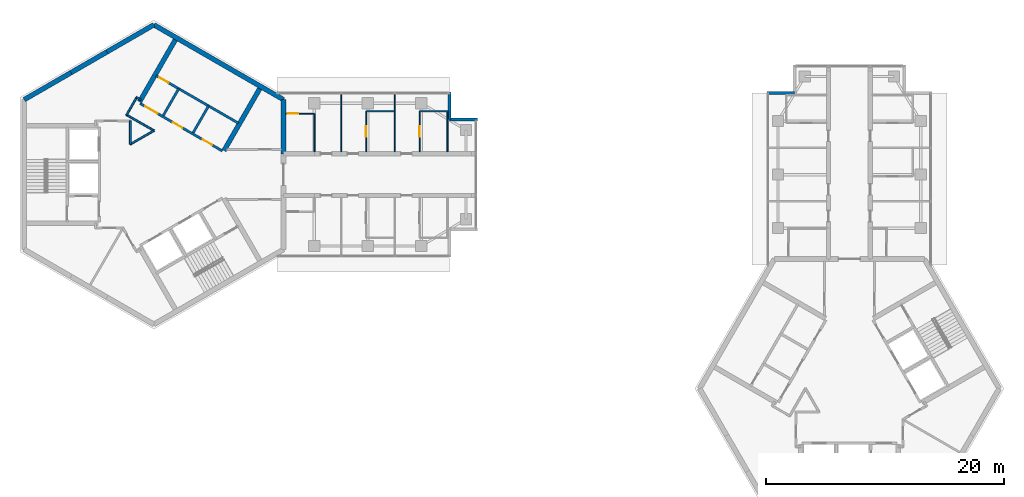
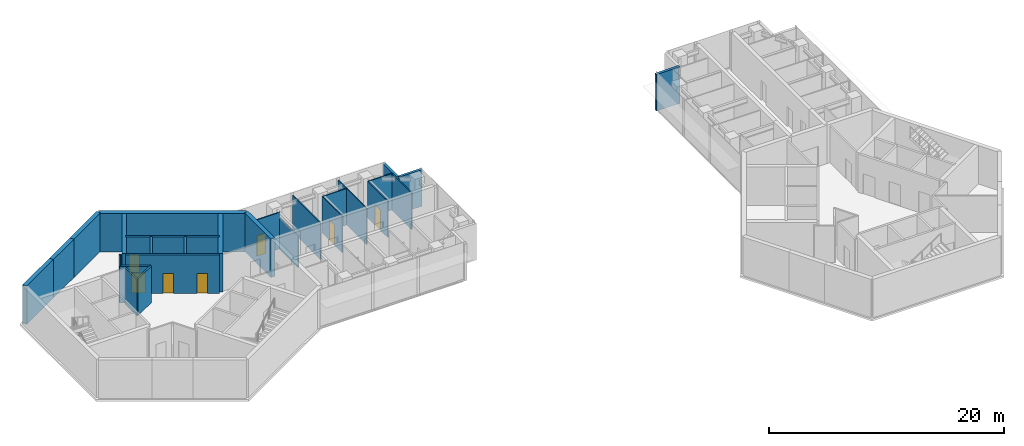
# One storey, part 7 of 11: 28 walls, 7 doors, 7 openings.
"""IFC4 building model written with IfcOpenShell, lengths in metres."""

from ifc_helpers import new_model, si_unit, direction, frame, frame_2d, origin, place, context, subcontext, project, spatial, rectangle, extrude, material, layer, layer_set, type_object, element, fill, save


model = new_model("IFC4")

# Units and contexts
model_context = context("Model", 3, precision=1e-05, world=origin(), true_north=direction((0.0, 1.0)))
body_context = subcontext(model_context, "Body", "Model", "MODEL_VIEW")
ifc_project = project(units=[si_unit("LENGTHUNIT", "METRE"), si_unit("AREAUNIT", "SQUARE_METRE"), si_unit("VOLUMEUNIT", "CUBIC_METRE"), si_unit("PLANEANGLEUNIT", "RADIAN"), si_unit("MASSUNIT", "GRAM", prefix="KILO")], contexts=[model_context])

# Site, building, storey
site_placement = place(None, origin())
site = spatial("IfcSite", under=ifc_project, at=site_placement, CompositionType="ELEMENT")
building_placement = place(site_placement, origin())
building = spatial("IfcBuilding", under=site, at=building_placement, Name="Upepo Twin Towers", CompositionType="ELEMENT")
storey_placement = place(building_placement, frame((0.0, 0.0, 283.5)))
storey = spatial("IfcBuildingStorey", under=building, at=storey_placement, Name="L69", CompositionType="ELEMENT", Elevation=283.5)

# Walls
ifc_material_1 = material(Name="Concrete C60/75", Category="concrete")
ifc_layer_1 = layer(ifc_material_1, 0.39990234375)
ifc_layer_set_1 = layer_set([ifc_layer_1], Name="Concrete C60/75")
wall_type_1 = type_object("IfcWallType", Name="Core wall 400 RC", PredefinedType="SHEAR", material=ifc_layer_set_1)
wall_1_placement = place(storey_placement, frame((10.908447265625, 1.75, 0.0), z_axis=(0.0, 0.0, 1.0), x_axis=(0.0, 1.0, 0.0)))
element("IfcWall", 1, at=wall_1_placement, inside=storey, type_object=wall_type_1, Name="T1 core wall 000 L", PredefinedType="SHEAR", context=body_context, shape_type="SweptSolid", body=[
    extrude(rectangle(XDim=4.5478515625, YDim=0.39990234375, at=frame_2d((2.27392578125, 0.0))), origin(), (0.0, 0.0, 1.0), 4.0),
])
wall_2_placement = place(storey_placement, frame((10.908447265625, 6.2978515625, 0.0), z_axis=(0.0, 0.0, 1.0), x_axis=(-0.866021940709, 0.500005998175, 0.0)))
element("IfcWall", 2, at=wall_2_placement, inside=storey, type_object=wall_type_1, Name="T1 core wall 060", PredefinedType="SHEAR", context=body_context, shape_type="SweptSolid", body=[
    extrude(rectangle(XDim=12.595947265625, YDim=0.39990234375, at=frame_2d((6.2978515625, 0.0))), origin(), (0.0, 0.0, 1.0), 4.0),
])
wall_3_placement = place(storey_placement, frame((0.0, 12.595947265625, 0.0), z_axis=(0.0, 0.0, 1.0), x_axis=(-0.866011268655, -0.500024481964, 0.0)))
element("IfcWall", 3, at=wall_3_placement, inside=storey, type_object=wall_type_1, Name="T1 core wall 120 R", PredefinedType="SHEAR", context=body_context, shape_type="SweptSolid", body=[
    extrude(rectangle(XDim=4.548095703125, YDim=0.39990234375, at=frame_2d((2.27392578125, 0.0))), origin(), (0.0, 0.0, 1.0), 4.0),
])
wall_4_placement = place(storey_placement, frame((-3.938720703125, 10.32177734375, 0.0), z_axis=(0.0, 0.0, 1.0), x_axis=(-0.866019471182, -0.500010275428, 0.0)))
element("IfcWall", 4, at=wall_4_placement, inside=storey, type_object=wall_type_1, Name="T1 core wall 120", PredefinedType="SHEAR", context=body_context, shape_type="SweptSolid", body=[
    extrude(rectangle(XDim=3.5, YDim=0.39990234375, at=frame_2d((1.75, 0.0))), origin(), (0.0, 0.0, 1.0), 4.0),
])
wall_5_placement = place(storey_placement, frame((-6.9697265625, 8.57177734375, 0.0), z_axis=(0.0, 0.0, 1.0), x_axis=(-0.866034513004, -0.499984222037, 0.0)))
element("IfcWall", 5, at=wall_5_placement, inside=storey, type_object=wall_type_1, Name="T1 core wall 120 L", PredefinedType="SHEAR", context=body_context, shape_type="SweptSolid", body=[
    extrude(rectangle(XDim=4.548095703125, YDim=0.39990234375, at=frame_2d((2.27392578125, 0.0))), origin(), (0.0, 0.0, 1.0), 4.0),
])
ifc_material_2 = material(Name="Blockwork with anodised aluminium cladding", Category="masonry")
ifc_layer_2 = layer(ifc_material_2, 0.25)
ifc_layer_set_2 = layer_set([ifc_layer_2], Name="Notch cladding wall 250, pale metal")
wall_type_2 = type_object("IfcWallType", Name="Notch cladding wall 250, pale metal", PredefinedType="STANDARD", material=ifc_layer_set_2)
for number, where, z_axis, x_axis, name in (
    (6, (24.875, 6.949951171875, 0.0), (0.0, 0.0, 1.0), (0.0, -1.0, 0.0), "T1 L69 wing A notch wall L1"),
    (7, (24.875, 4.625, 0.0), (0.0, 0.0, 1.0), (1.0, 0.0, 0.0), "T1 L69 wing A notch wall L2"),
    (8, (51.550048828125, 6.875, 0.0), (0.0, 0.0, 1.0), (1.0, 0.0, 0.0), "T2 L69 wing A notch wall L1"),
):
    element("IfcWall", number, at=place(storey_placement, frame(where, z_axis=z_axis, x_axis=x_axis)), inside=storey, type_object=wall_type_2, Name=name, PredefinedType="STANDARD", context=body_context, shape_type="SweptSolid", body=[
        extrude(rectangle(XDim=2.324951171875, YDim=0.25, at=frame_2d((1.16259765625, 0.0))), origin(), (0.0, 0.0, 1.0), 3.800048828125),
    ])
ifc_material_3 = material(Name="Gypsum board on steel studs", Category="steel")
ifc_layer_3 = layer(ifc_material_3, 0.10009765625)
ifc_layer_set_3 = layer_set([ifc_layer_3], Name="Office partition 100 stud")
wall_type_3 = type_object("IfcWallType", Name="Office partition 100 stud", PredefinedType="PARTITIONING", material=ifc_layer_set_3)
for number, where, z_axis, x_axis, name in (
    (9, (15.75, 1.925048828125, 0.0), (0.0, 0.0, 1.0), (0.0, 1.0, 0.0), "T1 partition AL at 15.75"),
    (10, (20.25, 1.925048828125, 0.0), (0.0, 0.0, 1.0), (0.0, 1.0, 0.0), "T1 partition AL at 20.25"),
):
    element("IfcWall", number, at=place(storey_placement, frame(where, z_axis=z_axis, x_axis=x_axis)), inside=storey, type_object=wall_type_3, Name=name, PredefinedType="PARTITIONING", context=body_context, shape_type="SweptSolid", body=[
        extrude(rectangle(XDim=4.824951171875, YDim=0.10009765625, at=frame_2d((2.41259765625, 0.0))), origin(), (0.0, 0.0, 1.0), 3.800048828125),
    ])
wall_6_placement = place(storey_placement, frame((17.85009765625, 5.324951171875, 0.0), z_axis=(0.0, 0.0, 1.0), x_axis=(1.0, 0.0, 0.0)))
element("IfcWall", 11, at=wall_6_placement, inside=storey, type_object=wall_type_3, Name="T1 inner room partition AL at 17.85", PredefinedType="PARTITIONING", context=body_context, shape_type="SweptSolid", body=[
    extrude(rectangle(XDim=2.39990234375, YDim=0.10009765625, at=frame_2d((1.199951171875, 0.0))), origin(), (0.0, 0.0, 1.0), 3.800048828125),
])

# Wall, opening, door
wall_7_placement = place(storey_placement, frame((17.85009765625, 1.925048828125, 0.0), z_axis=(0.0, 0.0, 1.0), x_axis=(0.0, 1.0, 0.0)))
wall_7 = element("IfcWall", 12, at=wall_7_placement, inside=storey, type_object=wall_type_3, Name="T1 inner room partition AL end at 17.85", PredefinedType="PARTITIONING", context=body_context, shape_type="SweptSolid", body=[
    extrude(rectangle(XDim=3.39990234375, YDim=0.10009765625, at=frame_2d((1.699951171875, 0.0))), origin(), (0.0, 0.0, 1.0), 3.800048828125),
])
opening_1_placement = place(wall_7_placement, frame((1.25, 0.0, 0.0)))
opening_1 = element("IfcOpeningElement", 13, at=opening_1_placement, cuts=wall_7, Name="Opening D14", PredefinedType="OPENING", context=body_context, shape_type="SweptSolid", body=[
    extrude(rectangle(XDim=0.89990234375, YDim=2.10009765625, at=frame_2d((0.449951171875, 1.050048828125))), frame((0.0, 0.06005859375, 0.0), z_axis=(0.0, -1.0, 0.0), x_axis=(1.0, 0.0, 0.0)), (0.0, 0.0, 1.0), 0.1201171875),
])
ifc_material_4 = material(Name="Timber doorset", Category="wood")
door_type_1 = type_object("IfcDoorType", Name="Office door 900 FD30", OperationType="SINGLE_SWING_LEFT", PredefinedType="DOOR", material=ifc_material_4)
door_1_placement = place(opening_1_placement, origin())
door_1 = element("IfcDoor", 14, at=door_1_placement, inside=storey, type_object=door_type_1, Name="T1 L69 inner room door", OperationType="SINGLE_SWING_LEFT", OverallHeight=2.10009765625, OverallWidth=0.89990234375, PredefinedType="DOOR", context=body_context, shape_type="SweptSolid", body=[
    extrude(rectangle(XDim=0.89990234375, YDim=2.10009765625, at=frame_2d((0.449951171875, 1.050048828125))), frame((0.0, 0.02490234375, 0.0), z_axis=(0.0, -1.0, 0.0), x_axis=(1.0, 0.0, 0.0)), (0.0, 0.0, 1.0), 0.050048828125),
])
fill(opening_1, door_1)

# Wall
wall_8_placement = place(storey_placement, frame((22.35009765625, 5.324951171875, 0.0), z_axis=(0.0, 0.0, 1.0), x_axis=(1.0, 0.0, 0.0)))
element("IfcWall", 15, at=wall_8_placement, inside=storey, type_object=wall_type_3, Name="T1 inner room partition AL at 22.35", PredefinedType="PARTITIONING", context=body_context, shape_type="SweptSolid", body=[
    extrude(rectangle(XDim=2.39990234375, YDim=0.10009765625, at=frame_2d((1.199951171875, 0.0))), origin(), (0.0, 0.0, 1.0), 3.800048828125),
])

# Wall, opening, door
wall_9_placement = place(storey_placement, frame((22.35009765625, 1.925048828125, 0.0), z_axis=(0.0, 0.0, 1.0), x_axis=(0.0, 1.0, 0.0)))
wall_9 = element("IfcWall", 16, at=wall_9_placement, inside=storey, type_object=wall_type_3, Name="T1 inner room partition AL end at 22.35", PredefinedType="PARTITIONING", context=body_context, shape_type="SweptSolid", body=[
    extrude(rectangle(XDim=3.39990234375, YDim=0.10009765625, at=frame_2d((1.699951171875, 0.0))), origin(), (0.0, 0.0, 1.0), 3.800048828125),
])
opening_2_placement = place(wall_9_placement, frame((1.25, 0.0, 0.0)))
opening_2 = element("IfcOpeningElement", 17, at=opening_2_placement, cuts=wall_9, Name="Opening D14", PredefinedType="OPENING", context=body_context, shape_type="SweptSolid", body=[
    extrude(rectangle(XDim=0.89990234375, YDim=2.10009765625, at=frame_2d((0.449951171875, 1.050048828125))), frame((0.0, 0.06005859375, 0.0), z_axis=(0.0, -1.0, 0.0), x_axis=(1.0, 0.0, 0.0)), (0.0, 0.0, 1.0), 0.1201171875),
])
door_2_placement = place(opening_2_placement, origin())
door_2 = element("IfcDoor", 18, at=door_2_placement, inside=storey, type_object=door_type_1, Name="T1 L69 inner room door", OperationType="SINGLE_SWING_LEFT", OverallHeight=2.10009765625, OverallWidth=0.89990234375, PredefinedType="DOOR", context=body_context, shape_type="SweptSolid", body=[
    extrude(rectangle(XDim=0.89990234375, YDim=2.10009765625, at=frame_2d((0.449951171875, 1.050048828125))), frame((0.0, 0.02490234375, 0.0), z_axis=(0.0, -1.0, 0.0), x_axis=(1.0, 0.0, 0.0)), (0.0, 0.0, 1.0), 0.050048828125),
])
fill(opening_2, door_2)

# Wall
wall_10_placement = place(storey_placement, frame((24.699951171875, 1.925048828125, 0.0), z_axis=(0.0, 0.0, 1.0), x_axis=(0.0, 1.0, 0.0)))
element("IfcWall", 19, at=wall_10_placement, inside=storey, type_object=wall_type_3, Name="T1 inner room partition AL end at 24.75", PredefinedType="PARTITIONING", context=body_context, shape_type="SweptSolid", body=[
    extrude(rectangle(XDim=3.39990234375, YDim=0.10009765625, at=frame_2d((1.699951171875, 0.0))), origin(), (0.0, 0.0, 1.0), 3.800048828125),
])

# Wall, opening, door
wall_11_placement = place(storey_placement, frame((11.10791015625, 5.125, 0.0), z_axis=(0.0, 0.0, 1.0), x_axis=(1.0, 0.0, 0.0)))
wall_11 = element("IfcWall", 20, at=wall_11_placement, inside=storey, type_object=wall_type_3, Name="T1 WC bay partition AL at 11.11", PredefinedType="PARTITIONING", context=body_context, shape_type="SweptSolid", body=[
    extrude(rectangle(XDim=2.400146484375, YDim=0.10009765625, at=frame_2d((1.2001953125, 0.0))), origin(), (0.0, 0.0, 1.0), 3.800048828125),
])
opening_3_placement = place(wall_11_placement, frame((0.14990234375, 0.0, 0.0)))
opening_3 = element("IfcOpeningElement", 21, at=opening_3_placement, cuts=wall_11, Name="Opening D14", PredefinedType="OPENING", context=body_context, shape_type="SweptSolid", body=[
    extrude(rectangle(XDim=0.89990234375, YDim=2.10009765625, at=frame_2d((0.449951171875, 1.050048828125))), frame((0.0, 0.06005859375, 0.0), z_axis=(0.0, -1.0, 0.0), x_axis=(1.0, 0.0, 0.0)), (0.0, 0.0, 1.0), 0.1201171875),
])
door_3_placement = place(opening_3_placement, origin())
door_3 = element("IfcDoor", 22, at=door_3_placement, inside=storey, type_object=door_type_1, Name="T1 L69 WC bay inner room door", OperationType="SINGLE_SWING_LEFT", OverallHeight=2.10009765625, OverallWidth=0.89990234375, PredefinedType="DOOR", context=body_context, shape_type="SweptSolid", body=[
    extrude(rectangle(XDim=0.89990234375, YDim=2.10009765625, at=frame_2d((0.449951171875, 1.050048828125))), frame((0.0, 0.02490234375, 0.0), z_axis=(0.0, -1.0, 0.0), x_axis=(1.0, 0.0, 0.0)), (0.0, 0.0, 1.0), 0.050048828125),
])
fill(opening_3, door_3)

# Wall
wall_12_placement = place(storey_placement, frame((13.508056640625, 1.925048828125, 0.0), z_axis=(0.0, 0.0, 1.0), x_axis=(0.0, 1.0, 0.0)))
element("IfcWall", 23, at=wall_12_placement, inside=storey, type_object=wall_type_3, Name="T1 WC bay partition AL end at 13.51", PredefinedType="PARTITIONING", context=body_context, shape_type="SweptSolid", body=[
    extrude(rectangle(XDim=3.199951171875, YDim=0.10009765625, at=frame_2d((1.60009765625, 0.0))), origin(), (0.0, 0.0, 1.0), 3.266845703125),
])

# Wall, openings, doors
ifc_material_5 = material(Name="Concrete C40/50", Category="concrete")
ifc_layer_4 = layer(ifc_material_5, 0.199951171875)
ifc_layer_set_4 = layer_set([ifc_layer_4], Name="Concrete C40/50")
wall_type_4 = type_object("IfcWallType", Name="Shaft wall 200 RC", PredefinedType="SHEAR", material=ifc_layer_set_4)
wall_13_placement = place(storey_placement, frame((5.76416015625, 1.983642578125, 0.0), z_axis=(0.0, 0.0, 1.0), x_axis=(-0.866026010844, 0.49999894854, 0.0)))
wall_13 = element("IfcWall", 24, at=wall_13_placement, inside=storey, type_object=wall_type_4, Name="T1 core W60 front wall", PredefinedType="SHEAR", context=body_context, shape_type="SweptSolid", body=[
    extrude(rectangle(XDim=8.0, YDim=0.199951171875, at=frame_2d((4.0, 0.0))), origin(), (0.0, 0.0, 1.0), 4.0),
])
opening_4_placement = place(wall_13_placement, frame((6.300048828125, 0.0, 0.0)))
opening_4 = element("IfcOpeningElement", 25, at=opening_4_placement, cuts=wall_13, Name="Opening D4", PredefinedType="OPENING", context=body_context, shape_type="SweptSolid", body=[
    extrude(rectangle(XDim=1.199951171875, YDim=2.10009765625, at=frame_2d((0.60009765625, 1.050048828125))), frame((0.0, 0.10986328125, 0.0), z_axis=(0.0, -1.0, 0.0), x_axis=(1.0, 0.0, 0.0)), (0.0, 0.0, 1.0), 0.219970703125),
])
opening_5_placement = place(wall_13_placement, frame((1.0, 0.0, 0.0)))
opening_5 = element("IfcOpeningElement", 26, at=opening_5_placement, cuts=wall_13, Name="Opening D9", PredefinedType="OPENING", context=body_context, shape_type="SweptSolid", body=[
    extrude(rectangle(XDim=0.89990234375, YDim=2.10009765625, at=frame_2d((0.449951171875, 1.050048828125))), frame((0.0, 0.10986328125, 0.0), z_axis=(0.0, -1.0, 0.0), x_axis=(1.0, 0.0, 0.0)), (0.0, 0.0, 1.0), 0.219970703125),
])
opening_6_placement = place(wall_13_placement, frame((3.89990234375, 0.0, 0.0)))
opening_6 = element("IfcOpeningElement", 27, at=opening_6_placement, cuts=wall_13, Name="Opening D9", PredefinedType="OPENING", context=body_context, shape_type="SweptSolid", body=[
    extrude(rectangle(XDim=0.89990234375, YDim=2.10009765625, at=frame_2d((0.449951171875, 1.050048828125))), frame((0.0, 0.10986328125, 0.0), z_axis=(0.0, -1.0, 0.0), x_axis=(1.0, 0.0, 0.0)), (0.0, 0.0, 1.0), 0.219970703125),
])
ifc_material_6 = material(Name="Timber doorset", Category="wood")
door_type_2 = type_object("IfcDoorType", Name="Lobby door 1200 FD60", OperationType="SINGLE_SWING_LEFT", PredefinedType="DOOR", material=ifc_material_6)
door_4_placement = place(opening_4_placement, origin())
door_4 = element("IfcDoor", 28, at=door_4_placement, inside=storey, type_object=door_type_2, Name="T1 L69 W60 lobby door", OperationType="SINGLE_SWING_RIGHT", OverallHeight=2.10009765625, OverallWidth=1.199951171875, PredefinedType="DOOR", context=body_context, shape_type="SweptSolid", body=[
    extrude(rectangle(XDim=1.199951171875, YDim=2.10009765625, at=frame_2d((0.60009765625, 1.050048828125))), frame((0.0, 0.02490234375, 0.0), z_axis=(0.0, -1.0, 0.0), x_axis=(1.0, 0.0, 0.0)), (0.0, 0.0, 1.0), 0.050048828125),
])
fill(opening_4, door_4)
ifc_material_7 = material(Name="Timber doorset", Category="wood")
door_type_3 = type_object("IfcDoorType", Name="Riser door 900 FD60", OperationType="SINGLE_SWING_LEFT", PredefinedType="DOOR", material=ifc_material_7)
door_5_placement = place(opening_5_placement, origin())
door_5 = element("IfcDoor", 29, at=door_5_placement, inside=storey, type_object=door_type_3, Name="T1 L69 av equipment store door", OperationType="SINGLE_SWING_LEFT", OverallHeight=2.10009765625, OverallWidth=0.89990234375, PredefinedType="DOOR", context=body_context, shape_type="SweptSolid", body=[
    extrude(rectangle(XDim=0.89990234375, YDim=2.10009765625, at=frame_2d((0.449951171875, 1.050048828125))), frame((0.0, 0.02490234375, 0.0), z_axis=(0.0, -1.0, 0.0), x_axis=(1.0, 0.0, 0.0)), (0.0, 0.0, 1.0), 0.050048828125),
])
fill(opening_5, door_5)
door_6_placement = place(opening_6_placement, origin())
door_6 = element("IfcDoor", 30, at=door_6_placement, inside=storey, type_object=door_type_3, Name="T1 L69 furniture store door", OperationType="SINGLE_SWING_RIGHT", OverallHeight=2.10009765625, OverallWidth=0.89990234375, PredefinedType="DOOR", context=body_context, shape_type="SweptSolid", body=[
    extrude(rectangle(XDim=0.89990234375, YDim=2.10009765625, at=frame_2d((0.449951171875, 1.050048828125))), frame((0.0, 0.02490234375, 0.0), z_axis=(0.0, -1.0, 0.0), x_axis=(1.0, 0.0, 0.0)), (0.0, 0.0, 1.0), 0.050048828125),
])
fill(opening_6, door_6)

# Walls
for number, where, z_axis, x_axis, name in (
    (31, (3.302734375, 3.520263671875, 0.0), (0.0, 0.0, 1.0), (0.499936506574, 0.866062058628, 0.0), "T1 core W60 shaft divider"),
    (32, (0.791259765625, 4.97021484375, 0.0), (0.0, 0.0, 1.0), (0.499936506574, 0.866062058628, 0.0), "T1 core W60 lobby wall"),
):
    element("IfcWall", number, at=place(storey_placement, frame(where, z_axis=z_axis, x_axis=x_axis)), inside=storey, type_object=wall_type_4, Name=name, PredefinedType="SHEAR", context=body_context, shape_type="SweptSolid", body=[
        extrude(rectangle(XDim=2.599853515625, YDim=0.199951171875, at=frame_2d((1.2998046875, 0.0))), origin(), (0.0, 0.0, 1.0), 4.0),
    ])

# Wall, opening, door
wall_14_placement = place(storey_placement, frame((7.114013671875, 4.322021484375, 0.0), z_axis=(0.0, 0.0, 1.0), x_axis=(-0.866026010844, 0.49999894854, 0.0)))
wall_14 = element("IfcWall", 33, at=wall_14_placement, inside=storey, type_object=wall_type_4, Name="T1 core W60 stair wall", PredefinedType="SHEAR", context=body_context, shape_type="SweptSolid", body=[
    extrude(rectangle(XDim=8.0, YDim=0.199951171875, at=frame_2d((4.0, 0.0))), origin(), (0.0, 0.0, 1.0), 4.0),
])
opening_7_placement = place(wall_14_placement, frame((6.800048828125, 0.0, 0.0)))
opening_7 = element("IfcOpeningElement", 34, at=opening_7_placement, cuts=wall_14, Name="Opening D9", PredefinedType="OPENING", context=body_context, shape_type="SweptSolid", body=[
    extrude(rectangle(XDim=0.89990234375, YDim=2.10009765625, at=frame_2d((0.449951171875, 1.050048828125))), frame((0.0, 0.10986328125, 0.0), z_axis=(0.0, -1.0, 0.0), x_axis=(1.0, 0.0, 0.0)), (0.0, 0.0, 1.0), 0.219970703125),
])
door_7_placement = place(opening_7_placement, origin())
door_7 = element("IfcDoor", 35, at=door_7_placement, inside=storey, type_object=door_type_3, Name="T1 L69 riser door", OperationType="SINGLE_SWING_RIGHT", OverallHeight=2.10009765625, OverallWidth=0.89990234375, PredefinedType="DOOR", context=body_context, shape_type="SweptSolid", body=[
    extrude(rectangle(XDim=0.89990234375, YDim=2.10009765625, at=frame_2d((0.449951171875, 1.050048828125))), frame((0.0, 0.02490234375, 0.0), z_axis=(0.0, -1.0, 0.0), x_axis=(1.0, 0.0, 0.0)), (0.0, 0.0, 1.0), 0.050048828125),
])
fill(opening_7, door_7)

# Walls
ifc_material_8 = material(Name="Concrete C40/50", Category="concrete")
ifc_layer_5 = layer(ifc_material_8, 0.39990234375)
ifc_layer_set_5 = layer_set([ifc_layer_5], Name="Concrete C40/50")
wall_type_5 = type_object("IfcWallType", Name="Shaft wall 400 RC", PredefinedType="SHEAR", material=ifc_layer_set_5)
for number, where, z_axis, x_axis, name in (
    (36, (-1.20068359375, 6.120361328125, 0.0), (0.0, 0.0, 1.0), (0.499997979876, 0.866026570101, 0.0), "T1 core W60 side wall N"),
    (37, (5.900634765625, 2.020263671875, 0.0), (0.0, 0.0, 1.0), (0.499997979876, 0.866026570101, 0.0), "T1 core W60 side wall S"),
):
    element("IfcWall", number, at=place(storey_placement, frame(where, z_axis=z_axis, x_axis=x_axis)), inside=storey, type_object=wall_type_5, Name=name, PredefinedType="SHEAR", context=body_context, shape_type="SweptSolid", body=[
        extrude(rectangle(XDim=6.00830078125, YDim=0.39990234375, at=frame_2d((3.004150390625, 0.0))), origin(), (0.0, 0.0, 1.0), 4.0),
    ])
ifc_material_9 = material(Name="Gypsum board on steel studs", Category="steel")
ifc_layer_6 = layer(ifc_material_9, 0.14990234375)
ifc_layer_set_6 = layer_set([ifc_layer_6], Name="Teaching partition 150 acoustic")
wall_type_6 = type_object("IfcWallType", Name="Teaching partition 150 acoustic", PredefinedType="PARTITIONING", material=ifc_layer_set_6)
wall_15_placement = place(storey_placement, frame((-1.97509765625, 4.52001953125, 0.0), z_axis=(0.0, 0.0, 1.0), x_axis=(0.0, -1.0, 0.0)))
element("IfcWall", 38, at=wall_15_placement, inside=storey, type_object=wall_type_6, Name="T1 core room partition 6", PredefinedType="PARTITIONING", context=body_context, shape_type="SweptSolid", body=[
    extrude(rectangle(XDim=1.985107421875, YDim=0.14990234375, at=frame_2d((0.99267578125, 0.0))), origin(), (0.0, 0.0, 1.0), 3.800048828125),
])
wall_16_placement = place(storey_placement, frame((-1.992431640625, 2.544921875, 0.0), z_axis=(0.0, 0.0, 1.0), x_axis=(0.866059450854, 0.499941024108, 0.0)))
element("IfcWall", 39, at=wall_16_placement, inside=storey, type_object=wall_type_6, Name="T1 core room partition 7", PredefinedType="PARTITIONING", context=body_context, shape_type="SweptSolid", body=[
    extrude(rectangle(XDim=2.320556640625, YDim=0.14990234375, at=frame_2d((1.16015625, 0.0))), origin(), (0.0, 0.0, 1.0), 3.800048828125),
])
wall_17_placement = place(storey_placement, frame((0.017333984375, 3.68505859375, 0.0), z_axis=(0.0, 0.0, 1.0), x_axis=(-0.866036099759, 0.499981473571, 0.0)))
element("IfcWall", 40, at=wall_17_placement, inside=storey, type_object=wall_type_6, Name="T1 core room partition 8", PredefinedType="PARTITIONING", context=body_context, shape_type="SweptSolid", body=[
    extrude(rectangle(XDim=2.6923828125, YDim=0.14990234375, at=frame_2d((1.34619140625, 0.0))), origin(), (0.0, 0.0, 1.0), 3.800048828125),
])
wall_18_placement = place(storey_placement, frame((-2.30712890625, 5.00390625, 0.0), z_axis=(0.0, 0.0, 1.0), x_axis=(0.500062521093, 0.865989304205, 0.0)))
element("IfcWall", 41, at=wall_18_placement, inside=storey, type_object=wall_type_6, Name="T1 core room partition 9", PredefinedType="PARTITIONING", context=body_context, shape_type="SweptSolid", body=[
    extrude(rectangle(XDim=1.739990234375, YDim=0.14990234375, at=frame_2d((0.8701171875, 0.0))), origin(), (0.0, 0.0, 1.0), 3.800048828125),
])
wall_19_placement = place(storey_placement, frame((-1.46435546875, 6.50341796875, 0.0), z_axis=(0.0, 0.0, 1.0), x_axis=(0.866138304741, -0.499804398801, 0.0)))
element("IfcWall", 42, at=wall_19_placement, inside=storey, type_object=wall_type_6, Name="T1 core room partition 10", PredefinedType="PARTITIONING", context=body_context, shape_type="SweptSolid", body=[
    extrude(rectangle(XDim=0.429931640625, YDim=0.14990234375, at=frame_2d((0.21484375, 0.0))), origin(), (0.0, 0.0, 1.0), 3.800048828125),
])

save(model, "model.ifc")
